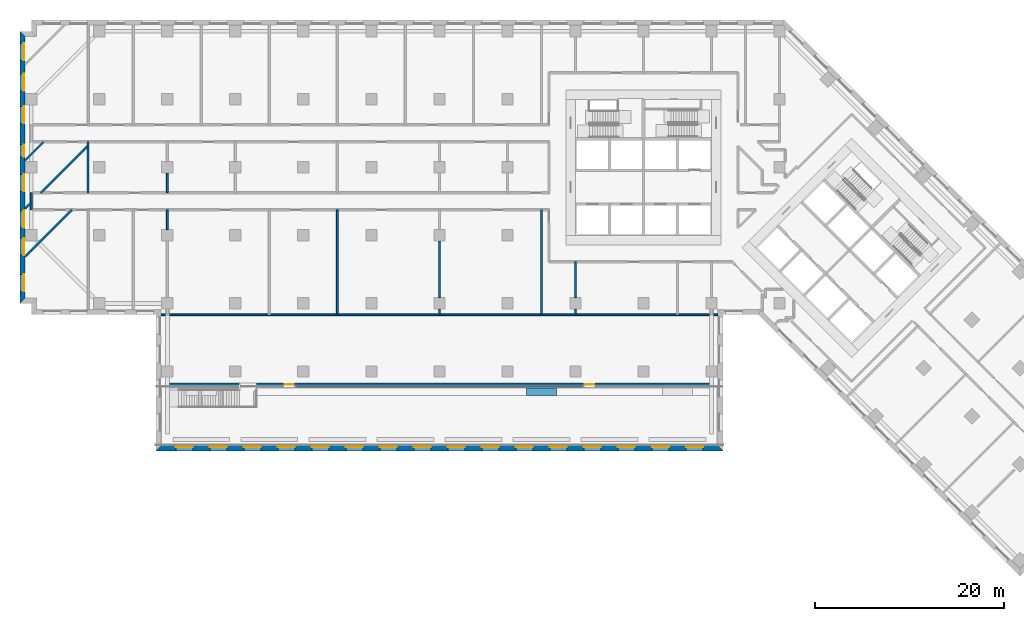
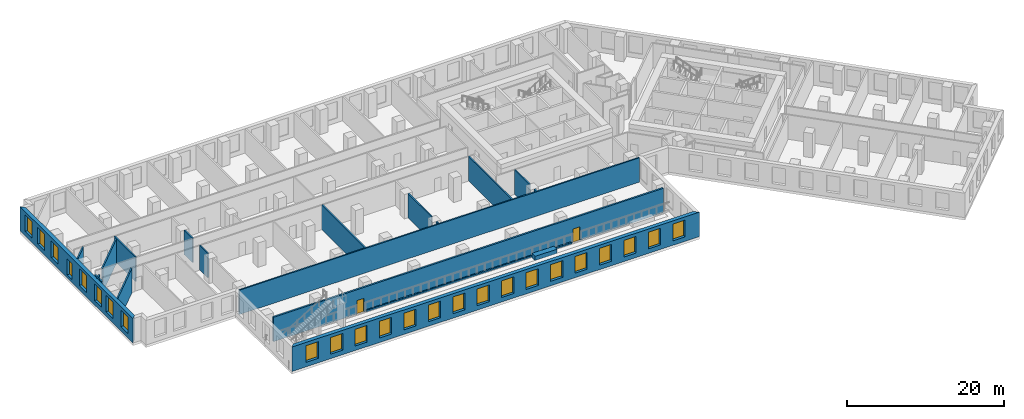
# One storey, part 3 of 13: 24 windows, 20 walls, 2 doors, 26 openings.
"""IFC4 building model written with IfcOpenShell, lengths in metres."""

from ifc_helpers import new_model, si_unit, direction, frame, frame_2d, origin, place, context, subcontext, project, spatial, polyline, rectangle, outline, extrude, material, layer, layer_set, type_object, element, fill, save


model = new_model("IFC4")

# Units and contexts
model_context = context("Model", 3, precision=1e-05, world=origin(), true_north=direction((0.0, 1.0)))
body_context = subcontext(model_context, "Body", "Model", "MODEL_VIEW")
ifc_project = project(units=[si_unit("LENGTHUNIT", "METRE"), si_unit("AREAUNIT", "SQUARE_METRE"), si_unit("VOLUMEUNIT", "CUBIC_METRE"), si_unit("PLANEANGLEUNIT", "RADIAN"), si_unit("MASSUNIT", "GRAM", prefix="KILO")], contexts=[model_context])

# Site, building, storey
site_placement = place(None, origin())
site = spatial("IfcSite", under=ifc_project, at=site_placement, CompositionType="ELEMENT")
building_placement = place(site_placement, origin())
building = spatial("IfcBuilding", under=site, at=building_placement, Name="Windrow Commons", CompositionType="ELEMENT")
storey_placement = place(building_placement, frame((0.0, 0.0, 14.4)))
storey = spatial("IfcBuildingStorey", under=building, at=storey_placement, Name="L03", CompositionType="ELEMENT", Elevation=14.4)

# Wall, openings, windows
ifc_material_1 = material(Name="Brick masonry, red clay brick", Category="masonry")
ifc_layer_1 = layer(ifc_material_1, 0.55)
ifc_layer_set_1 = layer_set([ifc_layer_1], Name="Brick facade wall 550")
wall_type_1 = type_object("IfcWallType", Name="Brick facade wall 550", PredefinedType="SOLIDWALL", material=ifc_layer_set_1)
wall_1_placement = place(storey_placement, frame((-0.925, 71.725, 0.0), z_axis=(0.0, 0.0, 1.0), x_axis=(0.0, -1.0, 0.0)))
wall_1 = element("IfcWall", 1, at=wall_1_placement, inside=storey, type_object=wall_type_1, Name="Brick facade wall L03 8", PredefinedType="SOLIDWALL", context=body_context, shape_type="SweptSolid", body=[
    extrude(outline(polyline([(-0.275, -0.275), (28.525, -0.275), (27.975, 0.275), (0.275, 0.275), (-0.275, -0.275)])), origin(), (0.0, 0.0, 1.0), 3.8),
])
opening_1_placement = place(wall_1_placement, frame((1.0, 0.0, 0.7)))
opening_1 = element("IfcOpeningElement", 2, at=opening_1_placement, cuts=wall_1, Name="Opening W2", PredefinedType="OPENING", context=body_context, shape_type="SweptSolid", body=[
    extrude(rectangle(XDim=1.8, YDim=2.6, at=frame_2d((0.9, 1.3))), frame((0.0, 0.285, 0.0), z_axis=(0.0, -1.0, 0.0), x_axis=(1.0, 0.0, 0.0)), (0.0, 0.0, 1.0), 0.57),
])
opening_2_placement = place(wall_1_placement, frame((4.225, 0.0, 0.7)))
opening_2 = element("IfcOpeningElement", 3, at=opening_2_placement, cuts=wall_1, Name="Opening W2", PredefinedType="OPENING", context=body_context, shape_type="SweptSolid", body=[
    extrude(rectangle(XDim=1.8, YDim=2.6, at=frame_2d((0.9, 1.3))), frame((0.0, 0.285, 0.0), z_axis=(0.0, -1.0, 0.0), x_axis=(1.0, 0.0, 0.0)), (0.0, 0.0, 1.0), 0.57),
])
opening_3_placement = place(wall_1_placement, frame((7.675, 0.0, 0.7)))
opening_3 = element("IfcOpeningElement", 4, at=opening_3_placement, cuts=wall_1, Name="Opening W2", PredefinedType="OPENING", context=body_context, shape_type="SweptSolid", body=[
    extrude(rectangle(XDim=1.8, YDim=2.6, at=frame_2d((0.9, 1.3))), frame((0.0, 0.285, 0.0), z_axis=(0.0, -1.0, 0.0), x_axis=(1.0, 0.0, 0.0)), (0.0, 0.0, 1.0), 0.57),
])
opening_4_placement = place(wall_1_placement, frame((14.875, 0.0, 0.7)))
opening_4 = element("IfcOpeningElement", 5, at=opening_4_placement, cuts=wall_1, Name="Opening W2", PredefinedType="OPENING", context=body_context, shape_type="SweptSolid", body=[
    extrude(rectangle(XDim=1.8, YDim=2.6, at=frame_2d((0.9, 1.3))), frame((0.0, 0.285, 0.0), z_axis=(0.0, -1.0, 0.0), x_axis=(1.0, 0.0, 0.0)), (0.0, 0.0, 1.0), 0.57),
])
opening_5_placement = place(wall_1_placement, frame((18.725, 0.0, 0.7)))
opening_5 = element("IfcOpeningElement", 6, at=opening_5_placement, cuts=wall_1, Name="Opening W2", PredefinedType="OPENING", context=body_context, shape_type="SweptSolid", body=[
    extrude(rectangle(XDim=1.8, YDim=2.6, at=frame_2d((0.9, 1.3))), frame((0.0, 0.285, 0.0), z_axis=(0.0, -1.0, 0.0), x_axis=(1.0, 0.0, 0.0)), (0.0, 0.0, 1.0), 0.57),
])
opening_6_placement = place(wall_1_placement, frame((21.625, 0.0, 0.7)))
opening_6 = element("IfcOpeningElement", 7, at=opening_6_placement, cuts=wall_1, Name="Opening W2", PredefinedType="OPENING", context=body_context, shape_type="SweptSolid", body=[
    extrude(rectangle(XDim=1.8, YDim=2.6, at=frame_2d((0.9, 1.3))), frame((0.0, 0.285, 0.0), z_axis=(0.0, -1.0, 0.0), x_axis=(1.0, 0.0, 0.0)), (0.0, 0.0, 1.0), 0.57),
])
opening_7_placement = place(wall_1_placement, frame((25.45, 0.0, 0.7)))
opening_7 = element("IfcOpeningElement", 8, at=opening_7_placement, cuts=wall_1, Name="Opening W2", PredefinedType="OPENING", context=body_context, shape_type="SweptSolid", body=[
    extrude(rectangle(XDim=1.8, YDim=2.6, at=frame_2d((0.9, 1.3))), frame((0.0, 0.285, 0.0), z_axis=(0.0, -1.0, 0.0), x_axis=(1.0, 0.0, 0.0)), (0.0, 0.0, 1.0), 0.57),
])
opening_8_placement = place(wall_1_placement, frame((11.725, 0.0, 0.45)))
opening_8 = element("IfcOpeningElement", 9, at=opening_8_placement, cuts=wall_1, Name="Opening W1Q", PredefinedType="OPENING", context=body_context, shape_type="SweptSolid", body=[
    extrude(rectangle(XDim=1.3, YDim=2.5, at=frame_2d((0.65, 1.25))), frame((0.0, 0.285, 0.0), z_axis=(0.0, -1.0, 0.0), x_axis=(1.0, 0.0, 0.0)), (0.0, 0.0, 1.0), 0.57),
])
ifc_material_2 = material(Name="Clear float glass in anodised aluminium frame", Category="aluminium")
window_type_1 = type_object("IfcWindowType", Name="Window W1Q pair 1300x2500", PartitioningType="SINGLE_PANEL", PredefinedType="WINDOW", material=ifc_material_2)
window_1_placement = place(opening_8_placement, origin())
window_1 = element("IfcWindow", 10, at=window_1_placement, inside=storey, type_object=window_type_1, Name="Window L03 8.4A", OverallHeight=2.5, OverallWidth=1.3, PartitioningType="SINGLE_PANEL", PredefinedType="WINDOW", context=body_context, shape_type="SweptSolid", body=[
    extrude(rectangle(XDim=1.3, YDim=2.5, at=frame_2d((0.65, 1.25))), frame((0.0, 0.155, 0.0), z_axis=(0.0, -1.0, 0.0), x_axis=(1.0, 0.0, 0.0)), (0.0, 0.0, 1.0), 0.06),
])
fill(opening_8, window_1)
ifc_material_3 = material(Name="Clear float glass in anodised aluminium frame", Category="aluminium")
window_type_2 = type_object("IfcWindowType", Name="Window W2 podium 1800x2600", PartitioningType="SINGLE_PANEL", PredefinedType="WINDOW", material=ifc_material_3)
window_2_placement = place(opening_1_placement, origin())
window_2 = element("IfcWindow", 11, at=window_2_placement, inside=storey, type_object=window_type_2, Name="Window L03 8.1", OverallHeight=2.6, OverallWidth=1.8, PartitioningType="SINGLE_PANEL", PredefinedType="WINDOW", context=body_context, shape_type="SweptSolid", body=[
    extrude(rectangle(XDim=1.8, YDim=2.6, at=frame_2d((0.9, 1.3))), frame((0.0, 0.155, 0.0), z_axis=(0.0, -1.0, 0.0), x_axis=(1.0, 0.0, 0.0)), (0.0, 0.0, 1.0), 0.06),
])
fill(opening_1, window_2)
window_3_placement = place(opening_2_placement, origin())
window_3 = element("IfcWindow", 12, at=window_3_placement, inside=storey, type_object=window_type_2, Name="Window L03 8.2", OverallHeight=2.6, OverallWidth=1.8, PartitioningType="SINGLE_PANEL", PredefinedType="WINDOW", context=body_context, shape_type="SweptSolid", body=[
    extrude(rectangle(XDim=1.8, YDim=2.6, at=frame_2d((0.9, 1.3))), frame((0.0, 0.155, 0.0), z_axis=(0.0, -1.0, 0.0), x_axis=(1.0, 0.0, 0.0)), (0.0, 0.0, 1.0), 0.06),
])
fill(opening_2, window_3)
window_4_placement = place(opening_3_placement, origin())
window_4 = element("IfcWindow", 13, at=window_4_placement, inside=storey, type_object=window_type_2, Name="Window L03 8.3", OverallHeight=2.6, OverallWidth=1.8, PartitioningType="SINGLE_PANEL", PredefinedType="WINDOW", context=body_context, shape_type="SweptSolid", body=[
    extrude(rectangle(XDim=1.8, YDim=2.6, at=frame_2d((0.9, 1.3))), frame((0.0, 0.155, 0.0), z_axis=(0.0, -1.0, 0.0), x_axis=(1.0, 0.0, 0.0)), (0.0, 0.0, 1.0), 0.06),
])
fill(opening_3, window_4)
window_5_placement = place(opening_4_placement, origin())
window_5 = element("IfcWindow", 14, at=window_5_placement, inside=storey, type_object=window_type_2, Name="Window L03 8.5", OverallHeight=2.6, OverallWidth=1.8, PartitioningType="SINGLE_PANEL", PredefinedType="WINDOW", context=body_context, shape_type="SweptSolid", body=[
    extrude(rectangle(XDim=1.8, YDim=2.6, at=frame_2d((0.9, 1.3))), frame((0.0, 0.155, 0.0), z_axis=(0.0, -1.0, 0.0), x_axis=(1.0, 0.0, 0.0)), (0.0, 0.0, 1.0), 0.06),
])
fill(opening_4, window_5)
window_6_placement = place(opening_5_placement, origin())
window_6 = element("IfcWindow", 15, at=window_6_placement, inside=storey, type_object=window_type_2, Name="Window L03 8.6", OverallHeight=2.6, OverallWidth=1.8, PartitioningType="SINGLE_PANEL", PredefinedType="WINDOW", context=body_context, shape_type="SweptSolid", body=[
    extrude(rectangle(XDim=1.8, YDim=2.6, at=frame_2d((0.9, 1.3))), frame((0.0, 0.155, 0.0), z_axis=(0.0, -1.0, 0.0), x_axis=(1.0, 0.0, 0.0)), (0.0, 0.0, 1.0), 0.06),
])
fill(opening_5, window_6)
window_7_placement = place(opening_6_placement, origin())
window_7 = element("IfcWindow", 16, at=window_7_placement, inside=storey, type_object=window_type_2, Name="Window L03 8.7", OverallHeight=2.6, OverallWidth=1.8, PartitioningType="SINGLE_PANEL", PredefinedType="WINDOW", context=body_context, shape_type="SweptSolid", body=[
    extrude(rectangle(XDim=1.8, YDim=2.6, at=frame_2d((0.9, 1.3))), frame((0.0, 0.155, 0.0), z_axis=(0.0, -1.0, 0.0), x_axis=(1.0, 0.0, 0.0)), (0.0, 0.0, 1.0), 0.06),
])
fill(opening_6, window_7)
window_8_placement = place(opening_7_placement, origin())
window_8 = element("IfcWindow", 17, at=window_8_placement, inside=storey, type_object=window_type_2, Name="Window L03 8.8", OverallHeight=2.6, OverallWidth=1.8, PartitioningType="SINGLE_PANEL", PredefinedType="WINDOW", context=body_context, shape_type="SweptSolid", body=[
    extrude(rectangle(XDim=1.8, YDim=2.6, at=frame_2d((0.9, 1.3))), frame((0.0, 0.155, 0.0), z_axis=(0.0, -1.0, 0.0), x_axis=(1.0, 0.0, 0.0)), (0.0, 0.0, 1.0), 0.06),
])
fill(opening_7, window_8)

wall_2_placement = place(storey_placement, frame((13.475, 27.875, 0.0), z_axis=(0.0, 0.0, 1.0), x_axis=(1.0, 0.0, 0.0)))
wall_2 = element("IfcWall", 18, at=wall_2_placement, inside=storey, type_object=wall_type_1, Name="Brick facade wall L03 13", PredefinedType="SOLIDWALL", context=body_context, shape_type="SweptSolid", body=[
    extrude(outline(polyline([(-0.275, -0.275), (59.725, -0.275), (59.175, 0.275), (0.275, 0.275), (-0.275, -0.275)])), origin(), (0.0, 0.0, 1.0), 3.8),
])
opening_9_placement = place(wall_2_placement, frame((1.825, 0.0, 0.7)))
opening_9 = element("IfcOpeningElement", 19, at=opening_9_placement, cuts=wall_2, Name="Opening W2", PredefinedType="OPENING", context=body_context, shape_type="SweptSolid", body=[
    extrude(rectangle(XDim=1.8, YDim=2.6, at=frame_2d((0.9, 1.3))), frame((0.0, 0.285, 0.0), z_axis=(0.0, -1.0, 0.0), x_axis=(1.0, 0.0, 0.0)), (0.0, 0.0, 1.0), 0.57),
])
opening_10_placement = place(wall_2_placement, frame((5.425, 0.0, 0.7)))
opening_10 = element("IfcOpeningElement", 20, at=opening_10_placement, cuts=wall_2, Name="Opening W2", PredefinedType="OPENING", context=body_context, shape_type="SweptSolid", body=[
    extrude(rectangle(XDim=1.8, YDim=2.6, at=frame_2d((0.9, 1.3))), frame((0.0, 0.285, 0.0), z_axis=(0.0, -1.0, 0.0), x_axis=(1.0, 0.0, 0.0)), (0.0, 0.0, 1.0), 0.57),
])
opening_11_placement = place(wall_2_placement, frame((9.025, 0.0, 0.7)))
opening_11 = element("IfcOpeningElement", 21, at=opening_11_placement, cuts=wall_2, Name="Opening W2", PredefinedType="OPENING", context=body_context, shape_type="SweptSolid", body=[
    extrude(rectangle(XDim=1.8, YDim=2.6, at=frame_2d((0.9, 1.3))), frame((0.0, 0.285, 0.0), z_axis=(0.0, -1.0, 0.0), x_axis=(1.0, 0.0, 0.0)), (0.0, 0.0, 1.0), 0.57),
])
opening_12_placement = place(wall_2_placement, frame((12.625, 0.0, 0.7)))
opening_12 = element("IfcOpeningElement", 22, at=opening_12_placement, cuts=wall_2, Name="Opening W2", PredefinedType="OPENING", context=body_context, shape_type="SweptSolid", body=[
    extrude(rectangle(XDim=1.8, YDim=2.6, at=frame_2d((0.9, 1.3))), frame((0.0, 0.285, 0.0), z_axis=(0.0, -1.0, 0.0), x_axis=(1.0, 0.0, 0.0)), (0.0, 0.0, 1.0), 0.57),
])
opening_13_placement = place(wall_2_placement, frame((16.225, 0.0, 0.7)))
opening_13 = element("IfcOpeningElement", 23, at=opening_13_placement, cuts=wall_2, Name="Opening W2", PredefinedType="OPENING", context=body_context, shape_type="SweptSolid", body=[
    extrude(rectangle(XDim=1.8, YDim=2.6, at=frame_2d((0.9, 1.3))), frame((0.0, 0.285, 0.0), z_axis=(0.0, -1.0, 0.0), x_axis=(1.0, 0.0, 0.0)), (0.0, 0.0, 1.0), 0.57),
])
opening_14_placement = place(wall_2_placement, frame((19.825, 0.0, 0.7)))
opening_14 = element("IfcOpeningElement", 24, at=opening_14_placement, cuts=wall_2, Name="Opening W2", PredefinedType="OPENING", context=body_context, shape_type="SweptSolid", body=[
    extrude(rectangle(XDim=1.8, YDim=2.6, at=frame_2d((0.9, 1.3))), frame((0.0, 0.285, 0.0), z_axis=(0.0, -1.0, 0.0), x_axis=(1.0, 0.0, 0.0)), (0.0, 0.0, 1.0), 0.57),
])
opening_15_placement = place(wall_2_placement, frame((23.425, 0.0, 0.7)))
opening_15 = element("IfcOpeningElement", 25, at=opening_15_placement, cuts=wall_2, Name="Opening W2", PredefinedType="OPENING", context=body_context, shape_type="SweptSolid", body=[
    extrude(rectangle(XDim=1.8, YDim=2.6, at=frame_2d((0.9, 1.3))), frame((0.0, 0.285, 0.0), z_axis=(0.0, -1.0, 0.0), x_axis=(1.0, 0.0, 0.0)), (0.0, 0.0, 1.0), 0.57),
])
opening_16_placement = place(wall_2_placement, frame((27.025, 0.0, 0.7)))
opening_16 = element("IfcOpeningElement", 26, at=opening_16_placement, cuts=wall_2, Name="Opening W2", PredefinedType="OPENING", context=body_context, shape_type="SweptSolid", body=[
    extrude(rectangle(XDim=1.8, YDim=2.6, at=frame_2d((0.9, 1.3))), frame((0.0, 0.285, 0.0), z_axis=(0.0, -1.0, 0.0), x_axis=(1.0, 0.0, 0.0)), (0.0, 0.0, 1.0), 0.57),
])
opening_17_placement = place(wall_2_placement, frame((30.625, 0.0, 0.7)))
opening_17 = element("IfcOpeningElement", 27, at=opening_17_placement, cuts=wall_2, Name="Opening W2", PredefinedType="OPENING", context=body_context, shape_type="SweptSolid", body=[
    extrude(rectangle(XDim=1.8, YDim=2.6, at=frame_2d((0.9, 1.3))), frame((0.0, 0.285, 0.0), z_axis=(0.0, -1.0, 0.0), x_axis=(1.0, 0.0, 0.0)), (0.0, 0.0, 1.0), 0.57),
])
opening_18_placement = place(wall_2_placement, frame((34.225, 0.0, 0.7)))
opening_18 = element("IfcOpeningElement", 28, at=opening_18_placement, cuts=wall_2, Name="Opening W2", PredefinedType="OPENING", context=body_context, shape_type="SweptSolid", body=[
    extrude(rectangle(XDim=1.8, YDim=2.6, at=frame_2d((0.9, 1.3))), frame((0.0, 0.285, 0.0), z_axis=(0.0, -1.0, 0.0), x_axis=(1.0, 0.0, 0.0)), (0.0, 0.0, 1.0), 0.57),
])
opening_19_placement = place(wall_2_placement, frame((37.825, 0.0, 0.7)))
opening_19 = element("IfcOpeningElement", 29, at=opening_19_placement, cuts=wall_2, Name="Opening W2", PredefinedType="OPENING", context=body_context, shape_type="SweptSolid", body=[
    extrude(rectangle(XDim=1.8, YDim=2.6, at=frame_2d((0.9, 1.3))), frame((0.0, 0.285, 0.0), z_axis=(0.0, -1.0, 0.0), x_axis=(1.0, 0.0, 0.0)), (0.0, 0.0, 1.0), 0.57),
])
opening_20_placement = place(wall_2_placement, frame((41.425, 0.0, 0.7)))
opening_20 = element("IfcOpeningElement", 30, at=opening_20_placement, cuts=wall_2, Name="Opening W2", PredefinedType="OPENING", context=body_context, shape_type="SweptSolid", body=[
    extrude(rectangle(XDim=1.8, YDim=2.6, at=frame_2d((0.9, 1.3))), frame((0.0, 0.285, 0.0), z_axis=(0.0, -1.0, 0.0), x_axis=(1.0, 0.0, 0.0)), (0.0, 0.0, 1.0), 0.57),
])
opening_21_placement = place(wall_2_placement, frame((45.025, 0.0, 0.7)))
opening_21 = element("IfcOpeningElement", 31, at=opening_21_placement, cuts=wall_2, Name="Opening W2", PredefinedType="OPENING", context=body_context, shape_type="SweptSolid", body=[
    extrude(rectangle(XDim=1.8, YDim=2.6, at=frame_2d((0.9, 1.3))), frame((0.0, 0.285, 0.0), z_axis=(0.0, -1.0, 0.0), x_axis=(1.0, 0.0, 0.0)), (0.0, 0.0, 1.0), 0.57),
])
opening_22_placement = place(wall_2_placement, frame((48.625, 0.0, 0.7)))
opening_22 = element("IfcOpeningElement", 32, at=opening_22_placement, cuts=wall_2, Name="Opening W2", PredefinedType="OPENING", context=body_context, shape_type="SweptSolid", body=[
    extrude(rectangle(XDim=1.8, YDim=2.6, at=frame_2d((0.9, 1.3))), frame((0.0, 0.285, 0.0), z_axis=(0.0, -1.0, 0.0), x_axis=(1.0, 0.0, 0.0)), (0.0, 0.0, 1.0), 0.57),
])
opening_23_placement = place(wall_2_placement, frame((52.225, 0.0, 0.7)))
opening_23 = element("IfcOpeningElement", 33, at=opening_23_placement, cuts=wall_2, Name="Opening W2", PredefinedType="OPENING", context=body_context, shape_type="SweptSolid", body=[
    extrude(rectangle(XDim=1.8, YDim=2.6, at=frame_2d((0.9, 1.3))), frame((0.0, 0.285, 0.0), z_axis=(0.0, -1.0, 0.0), x_axis=(1.0, 0.0, 0.0)), (0.0, 0.0, 1.0), 0.57),
])
opening_24_placement = place(wall_2_placement, frame((55.825, 0.0, 0.7)))
opening_24 = element("IfcOpeningElement", 34, at=opening_24_placement, cuts=wall_2, Name="Opening W2", PredefinedType="OPENING", context=body_context, shape_type="SweptSolid", body=[
    extrude(rectangle(XDim=1.8, YDim=2.6, at=frame_2d((0.9, 1.3))), frame((0.0, 0.285, 0.0), z_axis=(0.0, -1.0, 0.0), x_axis=(1.0, 0.0, 0.0)), (0.0, 0.0, 1.0), 0.57),
])
window_9_placement = place(opening_9_placement, origin())
window_9 = element("IfcWindow", 35, at=window_9_placement, inside=storey, type_object=window_type_2, Name="Window L03 13.1", OverallHeight=2.6, OverallWidth=1.8, PartitioningType="SINGLE_PANEL", PredefinedType="WINDOW", context=body_context, shape_type="SweptSolid", body=[
    extrude(rectangle(XDim=1.8, YDim=2.6, at=frame_2d((0.9, 1.3))), frame((0.0, 0.155, 0.0), z_axis=(0.0, -1.0, 0.0), x_axis=(1.0, 0.0, 0.0)), (0.0, 0.0, 1.0), 0.06),
])
fill(opening_9, window_9)
window_10_placement = place(opening_10_placement, origin())
window_10 = element("IfcWindow", 36, at=window_10_placement, inside=storey, type_object=window_type_2, Name="Window L03 13.2", OverallHeight=2.6, OverallWidth=1.8, PartitioningType="SINGLE_PANEL", PredefinedType="WINDOW", context=body_context, shape_type="SweptSolid", body=[
    extrude(rectangle(XDim=1.8, YDim=2.6, at=frame_2d((0.9, 1.3))), frame((0.0, 0.155, 0.0), z_axis=(0.0, -1.0, 0.0), x_axis=(1.0, 0.0, 0.0)), (0.0, 0.0, 1.0), 0.06),
])
fill(opening_10, window_10)
window_11_placement = place(opening_11_placement, origin())
window_11 = element("IfcWindow", 37, at=window_11_placement, inside=storey, type_object=window_type_2, Name="Window L03 13.3", OverallHeight=2.6, OverallWidth=1.8, PartitioningType="SINGLE_PANEL", PredefinedType="WINDOW", context=body_context, shape_type="SweptSolid", body=[
    extrude(rectangle(XDim=1.8, YDim=2.6, at=frame_2d((0.9, 1.3))), frame((0.0, 0.155, 0.0), z_axis=(0.0, -1.0, 0.0), x_axis=(1.0, 0.0, 0.0)), (0.0, 0.0, 1.0), 0.06),
])
fill(opening_11, window_11)
window_12_placement = place(opening_12_placement, origin())
window_12 = element("IfcWindow", 38, at=window_12_placement, inside=storey, type_object=window_type_2, Name="Window L03 13.4", OverallHeight=2.6, OverallWidth=1.8, PartitioningType="SINGLE_PANEL", PredefinedType="WINDOW", context=body_context, shape_type="SweptSolid", body=[
    extrude(rectangle(XDim=1.8, YDim=2.6, at=frame_2d((0.9, 1.3))), frame((0.0, 0.155, 0.0), z_axis=(0.0, -1.0, 0.0), x_axis=(1.0, 0.0, 0.0)), (0.0, 0.0, 1.0), 0.06),
])
fill(opening_12, window_12)
window_13_placement = place(opening_13_placement, origin())
window_13 = element("IfcWindow", 39, at=window_13_placement, inside=storey, type_object=window_type_2, Name="Window L03 13.5", OverallHeight=2.6, OverallWidth=1.8, PartitioningType="SINGLE_PANEL", PredefinedType="WINDOW", context=body_context, shape_type="SweptSolid", body=[
    extrude(rectangle(XDim=1.8, YDim=2.6, at=frame_2d((0.9, 1.3))), frame((0.0, 0.155, 0.0), z_axis=(0.0, -1.0, 0.0), x_axis=(1.0, 0.0, 0.0)), (0.0, 0.0, 1.0), 0.06),
])
fill(opening_13, window_13)
window_14_placement = place(opening_14_placement, origin())
window_14 = element("IfcWindow", 40, at=window_14_placement, inside=storey, type_object=window_type_2, Name="Window L03 13.6", OverallHeight=2.6, OverallWidth=1.8, PartitioningType="SINGLE_PANEL", PredefinedType="WINDOW", context=body_context, shape_type="SweptSolid", body=[
    extrude(rectangle(XDim=1.8, YDim=2.6, at=frame_2d((0.9, 1.3))), frame((0.0, 0.155, 0.0), z_axis=(0.0, -1.0, 0.0), x_axis=(1.0, 0.0, 0.0)), (0.0, 0.0, 1.0), 0.06),
])
fill(opening_14, window_14)
window_15_placement = place(opening_15_placement, origin())
window_15 = element("IfcWindow", 41, at=window_15_placement, inside=storey, type_object=window_type_2, Name="Window L03 13.7", OverallHeight=2.6, OverallWidth=1.8, PartitioningType="SINGLE_PANEL", PredefinedType="WINDOW", context=body_context, shape_type="SweptSolid", body=[
    extrude(rectangle(XDim=1.8, YDim=2.6, at=frame_2d((0.9, 1.3))), frame((0.0, 0.155, 0.0), z_axis=(0.0, -1.0, 0.0), x_axis=(1.0, 0.0, 0.0)), (0.0, 0.0, 1.0), 0.06),
])
fill(opening_15, window_15)
window_16_placement = place(opening_16_placement, origin())
window_16 = element("IfcWindow", 42, at=window_16_placement, inside=storey, type_object=window_type_2, Name="Window L03 13.8", OverallHeight=2.6, OverallWidth=1.8, PartitioningType="SINGLE_PANEL", PredefinedType="WINDOW", context=body_context, shape_type="SweptSolid", body=[
    extrude(rectangle(XDim=1.8, YDim=2.6, at=frame_2d((0.9, 1.3))), frame((0.0, 0.155, 0.0), z_axis=(0.0, -1.0, 0.0), x_axis=(1.0, 0.0, 0.0)), (0.0, 0.0, 1.0), 0.06),
])
fill(opening_16, window_16)
window_17_placement = place(opening_17_placement, origin())
window_17 = element("IfcWindow", 43, at=window_17_placement, inside=storey, type_object=window_type_2, Name="Window L03 13.9", OverallHeight=2.6, OverallWidth=1.8, PartitioningType="SINGLE_PANEL", PredefinedType="WINDOW", context=body_context, shape_type="SweptSolid", body=[
    extrude(rectangle(XDim=1.8, YDim=2.6, at=frame_2d((0.9, 1.3))), frame((0.0, 0.155, 0.0), z_axis=(0.0, -1.0, 0.0), x_axis=(1.0, 0.0, 0.0)), (0.0, 0.0, 1.0), 0.06),
])
fill(opening_17, window_17)
window_18_placement = place(opening_18_placement, origin())
window_18 = element("IfcWindow", 44, at=window_18_placement, inside=storey, type_object=window_type_2, Name="Window L03 13.10", OverallHeight=2.6, OverallWidth=1.8, PartitioningType="SINGLE_PANEL", PredefinedType="WINDOW", context=body_context, shape_type="SweptSolid", body=[
    extrude(rectangle(XDim=1.8, YDim=2.6, at=frame_2d((0.9, 1.3))), frame((0.0, 0.155, 0.0), z_axis=(0.0, -1.0, 0.0), x_axis=(1.0, 0.0, 0.0)), (0.0, 0.0, 1.0), 0.06),
])
fill(opening_18, window_18)
window_19_placement = place(opening_19_placement, origin())
window_19 = element("IfcWindow", 45, at=window_19_placement, inside=storey, type_object=window_type_2, Name="Window L03 13.11", OverallHeight=2.6, OverallWidth=1.8, PartitioningType="SINGLE_PANEL", PredefinedType="WINDOW", context=body_context, shape_type="SweptSolid", body=[
    extrude(rectangle(XDim=1.8, YDim=2.6, at=frame_2d((0.9, 1.3))), frame((0.0, 0.155, 0.0), z_axis=(0.0, -1.0, 0.0), x_axis=(1.0, 0.0, 0.0)), (0.0, 0.0, 1.0), 0.06),
])
fill(opening_19, window_19)
window_20_placement = place(opening_20_placement, origin())
window_20 = element("IfcWindow", 46, at=window_20_placement, inside=storey, type_object=window_type_2, Name="Window L03 13.12", OverallHeight=2.6, OverallWidth=1.8, PartitioningType="SINGLE_PANEL", PredefinedType="WINDOW", context=body_context, shape_type="SweptSolid", body=[
    extrude(rectangle(XDim=1.8, YDim=2.6, at=frame_2d((0.9, 1.3))), frame((0.0, 0.155, 0.0), z_axis=(0.0, -1.0, 0.0), x_axis=(1.0, 0.0, 0.0)), (0.0, 0.0, 1.0), 0.06),
])
fill(opening_20, window_20)
window_21_placement = place(opening_21_placement, origin())
window_21 = element("IfcWindow", 47, at=window_21_placement, inside=storey, type_object=window_type_2, Name="Window L03 13.13", OverallHeight=2.6, OverallWidth=1.8, PartitioningType="SINGLE_PANEL", PredefinedType="WINDOW", context=body_context, shape_type="SweptSolid", body=[
    extrude(rectangle(XDim=1.8, YDim=2.6, at=frame_2d((0.9, 1.3))), frame((0.0, 0.155, 0.0), z_axis=(0.0, -1.0, 0.0), x_axis=(1.0, 0.0, 0.0)), (0.0, 0.0, 1.0), 0.06),
])
fill(opening_21, window_21)
window_22_placement = place(opening_22_placement, origin())
window_22 = element("IfcWindow", 48, at=window_22_placement, inside=storey, type_object=window_type_2, Name="Window L03 13.14", OverallHeight=2.6, OverallWidth=1.8, PartitioningType="SINGLE_PANEL", PredefinedType="WINDOW", context=body_context, shape_type="SweptSolid", body=[
    extrude(rectangle(XDim=1.8, YDim=2.6, at=frame_2d((0.9, 1.3))), frame((0.0, 0.155, 0.0), z_axis=(0.0, -1.0, 0.0), x_axis=(1.0, 0.0, 0.0)), (0.0, 0.0, 1.0), 0.06),
])
fill(opening_22, window_22)
window_23_placement = place(opening_23_placement, origin())
window_23 = element("IfcWindow", 49, at=window_23_placement, inside=storey, type_object=window_type_2, Name="Window L03 13.15", OverallHeight=2.6, OverallWidth=1.8, PartitioningType="SINGLE_PANEL", PredefinedType="WINDOW", context=body_context, shape_type="SweptSolid", body=[
    extrude(rectangle(XDim=1.8, YDim=2.6, at=frame_2d((0.9, 1.3))), frame((0.0, 0.155, 0.0), z_axis=(0.0, -1.0, 0.0), x_axis=(1.0, 0.0, 0.0)), (0.0, 0.0, 1.0), 0.06),
])
fill(opening_23, window_23)
window_24_placement = place(opening_24_placement, origin())
window_24 = element("IfcWindow", 50, at=window_24_placement, inside=storey, type_object=window_type_2, Name="Window L03 13.16", OverallHeight=2.6, OverallWidth=1.8, PartitioningType="SINGLE_PANEL", PredefinedType="WINDOW", context=body_context, shape_type="SweptSolid", body=[
    extrude(rectangle(XDim=1.8, YDim=2.6, at=frame_2d((0.9, 1.3))), frame((0.0, 0.155, 0.0), z_axis=(0.0, -1.0, 0.0), x_axis=(1.0, 0.0, 0.0)), (0.0, 0.0, 1.0), 0.06),
])
fill(opening_24, window_24)

# Walls
ifc_material_4 = material(Name="Blockwork partition", Category="masonry")
ifc_layer_2 = layer(ifc_material_4, 0.2)
ifc_layer_set_2 = layer_set([ifc_layer_2], Name="IW-CORRIDOR-200")
wall_type_2 = type_object("IfcWallType", Name="IW-CORRIDOR-200", PredefinedType="PARTITIONING", material=ifc_layer_set_2)
wall_3_placement = place(storey_placement, frame((0.0, 53.1, 0.0), z_axis=(0.0, 0.0, 1.0), x_axis=(0.0, 1.0, 0.0)))
element("IfcWall", 51, at=wall_3_placement, inside=storey, type_object=wall_type_2, Name="W-L03-W089", PredefinedType="PARTITIONING", context=body_context, shape_type="SweptSolid", body=[
    extrude(rectangle(XDim=1.8, YDim=0.2, at=frame_2d((0.9, 0.0))), origin(), (0.0, 0.0, 1.0), 3.2),
])
ifc_material_5 = material(Name="Blockwork partition", Category="masonry")
ifc_layer_3 = layer(ifc_material_5, 0.2)
ifc_layer_set_3 = layer_set([ifc_layer_3], Name="IW-PARTY-200")
wall_type_3 = type_object("IfcWallType", Name="IW-PARTY-200", PredefinedType="PARTITIONING", material=ifc_layer_set_3)
wall_4_placement = place(storey_placement, frame((13.75, 42.0, 0.0), z_axis=(0.0, 0.0, 1.0), x_axis=(1.0, 0.0, 0.0)))
element("IfcWall", 52, at=wall_4_placement, inside=storey, type_object=wall_type_3, Name="W-L03-W000", PredefinedType="PARTITIONING", context=body_context, shape_type="SweptSolid", body=[
    extrude(rectangle(XDim=58.9, YDim=0.2, at=frame_2d((29.45, 0.0))), origin(), (0.0, 0.0, 1.0), 3.8),
])
for number, where, z_axis, x_axis, name in (
    (53, (32.4, 42.0, 0.0), (0.0, 0.0, 1.0), (0.0, 1.0, 0.0), "W-L03-W010"),
    (54, (54.0, 42.0, 0.0), (0.0, 0.0, 1.0), (0.0, 1.0, 0.0), "W-L03-W011"),
):
    element("IfcWall", number, at=place(storey_placement, frame(where, z_axis=z_axis, x_axis=x_axis)), inside=storey, type_object=wall_type_3, Name=name, PredefinedType="PARTITIONING", context=body_context, shape_type="SweptSolid", body=[
        extrude(rectangle(XDim=11.1, YDim=0.2, at=frame_2d((5.55, 0.0))), origin(), (0.0, 0.0, 1.0), 3.8),
    ])
wall_5_placement = place(storey_placement, frame((1.0052, 54.9008, 0.0), z_axis=(0.0, 0.0, 1.0), x_axis=(0.7071067812, 0.7071067812, 0.0)))
element("IfcWall", 55, at=wall_5_placement, inside=storey, type_object=wall_type_3, Name="W-L03-W033", PredefinedType="PARTITIONING", context=body_context, shape_type="SweptSolid", body=[
    extrude(rectangle(XDim=7.0626, YDim=0.2, at=frame_2d((3.5313, 0.0))), origin(), (0.0, 0.0, 1.0), 3.8),
])
wall_6_placement = place(storey_placement, frame((-0.65, 48.1545, 0.0), z_axis=(0.0, 0.0, 1.0), x_axis=(0.707099634, 0.7071139283, 0.0)))
element("IfcWall", 56, at=wall_6_placement, inside=storey, type_object=wall_type_3, Name="W-L03-W034", PredefinedType="PARTITIONING", context=body_context, shape_type="SweptSolid", body=[
    extrude(rectangle(XDim=6.9958, YDim=0.2, at=frame_2d((3.4979, 0.0))), origin(), (0.0, 0.0, 1.0), 3.8),
])
wall_7_placement = place(storey_placement, frame((43.2, 43.8, 0.0), z_axis=(0.0, 0.0, 1.0), x_axis=(0.0, 1.0, 0.0)))
element("IfcWall", 57, at=wall_7_placement, inside=storey, type_object=wall_type_3, Name="W-L03-W036", PredefinedType="PARTITIONING", context=body_context, shape_type="SweptSolid", body=[
    extrude(rectangle(XDim=6.0, YDim=0.2, at=frame_2d((3.0, 0.0))), origin(), (0.0, 0.0, 1.0), 3.8),
])
wall_8_placement = place(storey_placement, frame((6.0, 54.9, 0.0), z_axis=(0.0, 0.0, 1.0), x_axis=(0.0, 1.0, 0.0)))
element("IfcWall", 58, at=wall_8_placement, inside=storey, type_object=wall_type_3, Name="W-L03-W046", PredefinedType="PARTITIONING", context=body_context, shape_type="SweptSolid", body=[
    extrude(rectangle(XDim=5.4, YDim=0.2, at=frame_2d((2.7, 0.0))), origin(), (0.0, 0.0, 1.0), 3.8),
])
wall_9_placement = place(storey_placement, frame((57.6, 43.8, 0.0), z_axis=(0.0, 0.0, 1.0), x_axis=(0.0, 1.0, 0.0)))
element("IfcWall", 59, at=wall_9_placement, inside=storey, type_object=wall_type_3, Name="W-L03-W056", PredefinedType="PARTITIONING", context=body_context, shape_type="SweptSolid", body=[
    extrude(rectangle(XDim=3.8, YDim=0.2, at=frame_2d((1.9, 0.0))), origin(), (0.0, 0.0, 1.0), 3.8),
])
wall_10_placement = place(storey_placement, frame((-0.65, 58.3368, 0.0), z_axis=(0.0, 0.0, 1.0), x_axis=(0.7071067812, 0.7071067812, 0.0)))
element("IfcWall", 60, at=wall_10_placement, inside=storey, type_object=wall_type_3, Name="W-L03-W063", PredefinedType="PARTITIONING", context=body_context, shape_type="SweptSolid", body=[
    extrude(rectangle(XDim=2.7769, YDim=0.2, at=frame_2d((1.3884, 0.0))), origin(), (0.0, 0.0, 1.0), 3.8),
])
for number, where, z_axis, x_axis, name in (
    (61, (14.4, 51.0, 0.0), (0.0, 0.0, 1.0), (0.0, 1.0, 0.0), "W-L03-W068"),
    (62, (14.4, 54.9, 0.0), (0.0, 0.0, 1.0), (0.0, 1.0, 0.0), "W-L03-W069"),
):
    element("IfcWall", number, at=place(storey_placement, frame(where, z_axis=z_axis, x_axis=x_axis)), inside=storey, type_object=wall_type_3, Name=name, PredefinedType="PARTITIONING", context=body_context, shape_type="SweptSolid", body=[
        extrude(rectangle(XDim=2.1, YDim=0.2, at=frame_2d((1.05, 0.0))), origin(), (0.0, 0.0, 1.0), 3.8),
    ])
wall_11_placement = place(storey_placement, frame((-0.65, 53.2457, 0.0), z_axis=(0.0, 0.0, 1.0), x_axis=(0.7071612431, 0.707052315, 0.0)))
element("IfcWall", 63, at=wall_11_placement, inside=storey, type_object=wall_type_3, Name="W-L03-W105", PredefinedType="PARTITIONING", context=body_context, shape_type="SweptSolid", body=[
    extrude(rectangle(XDim=0.918, YDim=0.2, at=frame_2d((0.459, 0.0))), origin(), (0.0, 0.0, 1.0), 3.8),
])
for number, where, z_axis, x_axis, name in (
    (64, (43.2, 42.0, 0.0), (0.0, 0.0, 1.0), (0.0, 1.0, 0.0), "W-L03-W109"),
    (65, (57.6, 42.0, 0.0), (0.0, 0.0, 1.0), (0.0, 1.0, 0.0), "W-L03-W110"),
):
    element("IfcWall", number, at=place(storey_placement, frame(where, z_axis=z_axis, x_axis=x_axis)), inside=storey, type_object=wall_type_3, Name=name, PredefinedType="PARTITIONING", context=body_context, shape_type="SweptSolid", body=[
        extrude(rectangle(XDim=0.6, YDim=0.2, at=frame_2d((0.3, 0.0))), origin(), (0.0, 0.0, 1.0), 3.8),
    ])
ifc_material_6 = material(Name="Concrete C30/37 planter wall", Category="concrete")
ifc_layer_4 = layer(ifc_material_6, 0.8)
ifc_layer_set_4 = layer_set([ifc_layer_4], Name="Planter 800x600")
wall_type_4 = type_object("IfcWallType", Name="Planter 800x600", PredefinedType="SOLIDWALL", material=ifc_layer_set_4)
wall_12_placement = place(storey_placement, frame((55.6068, 33.85, 0.0), z_axis=(0.0, 0.0, 1.0), x_axis=(-1.0, 0.0, 0.0)))
element("IfcWall", 66, at=wall_12_placement, inside=storey, type_object=wall_type_4, Name="PLANTER TR-L03-1.1", PredefinedType="SOLIDWALL", context=body_context, shape_type="SweptSolid", body=[
    extrude(outline(polyline([(0.0, -0.4), (3.2136, -0.4), (3.2136, 0.4), (0.0, 0.4), (0.0, -0.4)])), origin(), (0.0, 0.0, 1.0), 0.65),
])

# Wall, openings, doors
ifc_material_7 = material(Name="Facing brick on concrete block", Category="masonry")
ifc_layer_5 = layer(ifc_material_7, 0.25)
ifc_layer_set_5 = layer_set([ifc_layer_5], Name="Terrace back wall 250")
wall_type_5 = type_object("IfcWallType", Name="Terrace back wall 250", PredefinedType="SOLIDWALL", material=ifc_layer_set_5)
wall_13_placement = place(storey_placement, frame((71.925, 34.625, 0.0), z_axis=(0.0, 0.0, 1.0), x_axis=(-1.0, 0.0, 0.0)))
wall_13 = element("IfcWall", 67, at=wall_13_placement, inside=storey, type_object=wall_type_5, Name="Terrace back wall TR-L03-1.1", PredefinedType="SOLIDWALL", context=body_context, shape_type="SweptSolid", body=[
    extrude(rectangle(XDim=57.45, YDim=0.25, at=frame_2d((28.725, 0.0))), origin(), (0.0, 0.0, 1.0), 3.8),
])
opening_25_placement = place(wall_13_placement, frame((12.325, 0.0, 0.0)))
opening_25 = element("IfcOpeningElement", 68, at=opening_25_placement, cuts=wall_13, Name="Opening D12", PredefinedType="OPENING", context=body_context, shape_type="SweptSolid", body=[
    extrude(rectangle(XDim=1.0, YDim=2.1, at=frame_2d((0.5, 1.05))), frame((0.0, 0.135, 0.0), z_axis=(0.0, -1.0, 0.0), x_axis=(1.0, 0.0, 0.0)), (0.0, 0.0, 1.0), 0.27),
])
opening_26_placement = place(wall_13_placement, frame((44.125, 0.0, 0.0)))
opening_26 = element("IfcOpeningElement", 69, at=opening_26_placement, cuts=wall_13, Name="Opening D12", PredefinedType="OPENING", context=body_context, shape_type="SweptSolid", body=[
    extrude(rectangle(XDim=1.0, YDim=2.1, at=frame_2d((0.5, 1.05))), frame((0.0, 0.135, 0.0), z_axis=(0.0, -1.0, 0.0), x_axis=(1.0, 0.0, 0.0)), (0.0, 0.0, 1.0), 0.27),
])
ifc_material_8 = material(Name="Timber door leaf in an aluminium frame", Category="wood")
door_type = type_object("IfcDoorType", Name="Terrace lounge door 1000x2100", OperationType="SINGLE_SWING_LEFT", PredefinedType="DOOR", material=ifc_material_8)
door_1_placement = place(opening_25_placement, origin())
door_1 = element("IfcDoor", 70, at=door_1_placement, inside=storey, type_object=door_type, Name="Terrace lounge door TR-L03-1.1.1", OperationType="SINGLE_SWING_LEFT", OverallHeight=2.1, OverallWidth=1.0, PredefinedType="DOOR", context=body_context, shape_type="SweptSolid", body=[
    extrude(rectangle(XDim=1.0, YDim=2.1, at=frame_2d((0.5, 1.05))), frame((0.0, 0.025, 0.0), z_axis=(0.0, -1.0, 0.0), x_axis=(1.0, 0.0, 0.0)), (0.0, 0.0, 1.0), 0.05),
])
fill(opening_25, door_1)
door_2_placement = place(opening_26_placement, origin())
door_2 = element("IfcDoor", 71, at=door_2_placement, inside=storey, type_object=door_type, Name="Terrace lounge door TR-L03-1.1.2", OperationType="SINGLE_SWING_LEFT", OverallHeight=2.1, OverallWidth=1.0, PredefinedType="DOOR", context=body_context, shape_type="SweptSolid", body=[
    extrude(rectangle(XDim=1.0, YDim=2.1, at=frame_2d((0.5, 1.05))), frame((0.0, 0.025, 0.0), z_axis=(0.0, -1.0, 0.0), x_axis=(1.0, 0.0, 0.0)), (0.0, 0.0, 1.0), 0.05),
])
fill(opening_26, door_2)

# Wall
ifc_material_9 = material(Name="Brick masonry, red clay brick", Category="masonry")
ifc_layer_6 = layer(ifc_material_9, 0.2)
ifc_layer_set_6 = layer_set([ifc_layer_6], Name="Terrace edge parapet 200")
wall_type_6 = type_object("IfcWallType", Name="Terrace edge parapet 200", PredefinedType="PARAPET", material=ifc_layer_set_6)
wall_14_placement = place(storey_placement, frame((58.33, 34.4, 0.0), z_axis=(0.0, 0.0, 1.0), x_axis=(-1.0, 0.0, 0.0)))
element("IfcWall", 72, at=wall_14_placement, inside=storey, type_object=wall_type_6, Name="Terrace parapet TR-L03-1.1.1", PredefinedType="PARAPET", context=body_context, shape_type="SweptSolid", body=[
    extrude(outline(polyline([(0.0, -0.1), (30.26, -0.1), (30.26, 0.1), (0.0, 0.1), (0.0, -0.1)])), origin(), (0.0, 0.0, 1.0), 0.25),
])

save(model, "model.ifc")
